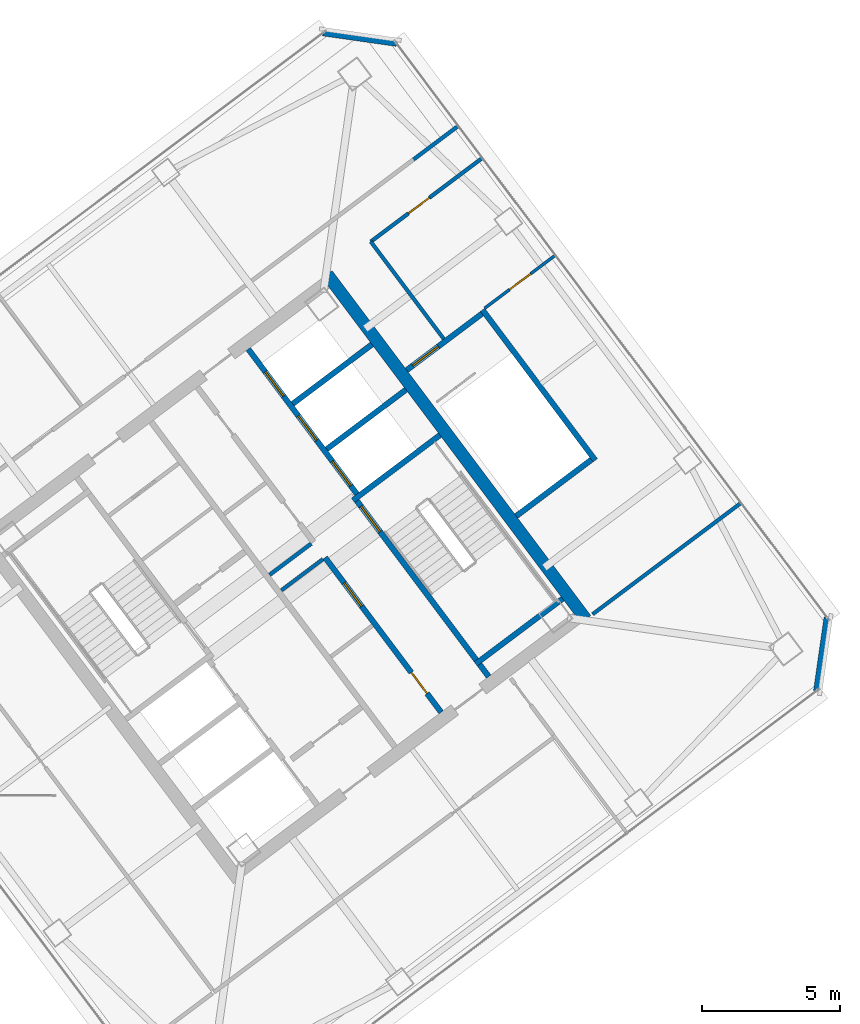
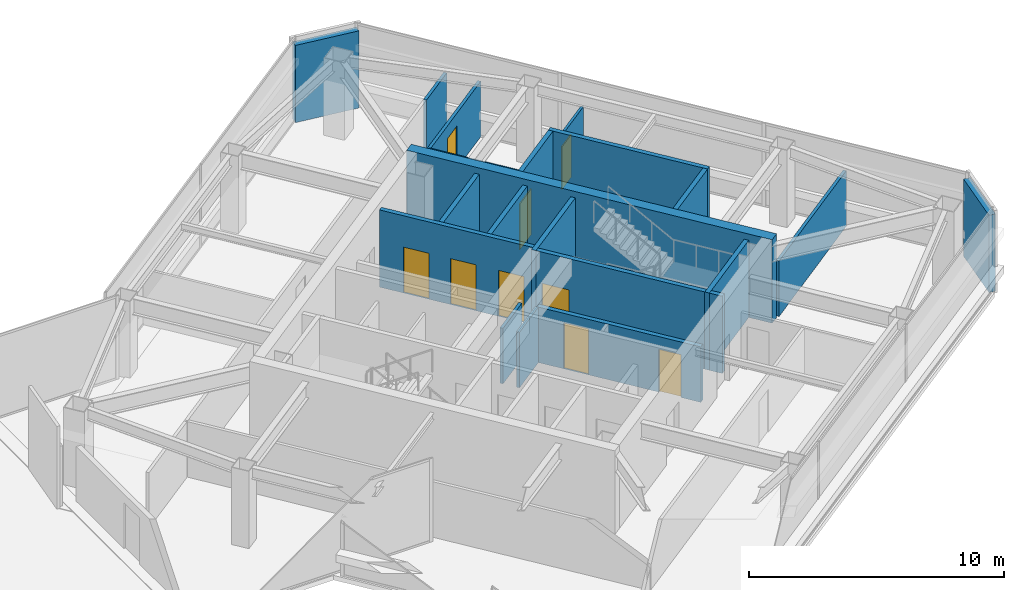
# One storey, part 44 of 51: 20 walls, 9 doors, 9 openings.
"""IFC4 building model written with IfcOpenShell, lengths in metres."""

from ifc_helpers import new_model, si_unit, direction, frame, frame_2d, origin, place, context, subcontext, project, spatial, rectangle, extrude, material, layer, layer_set, type_object, element, fill, save


model = new_model("IFC4")

# Units and contexts
model_context = context("Model", 3, precision=1e-05, world=origin(), true_north=direction((0.0, 1.0)))
body_context = subcontext(model_context, "Body", "Model", "MODEL_VIEW")
ifc_project = project(units=[si_unit("LENGTHUNIT", "METRE"), si_unit("AREAUNIT", "SQUARE_METRE"), si_unit("VOLUMEUNIT", "CUBIC_METRE"), si_unit("PLANEANGLEUNIT", "RADIAN"), si_unit("MASSUNIT", "GRAM", prefix="KILO")], contexts=[model_context])

# Site, building, storey
site_placement = place(None, origin())
site = spatial("IfcSite", under=ifc_project, at=site_placement, CompositionType="ELEMENT")
building_placement = place(site_placement, origin())
building = spatial("IfcBuilding", under=site, at=building_placement, Name="Tashvorn Skyway Center", CompositionType="ELEMENT")
storey_placement = place(building_placement, frame((0.0, 0.0, 259.39990234375)))
storey = spatial("IfcBuildingStorey", under=building, at=storey_placement, Name="L70", CompositionType="ELEMENT", Elevation=259.39990234375)

# Walls
ifc_material_1 = material(Name="Concrete C50/60", Category="concrete")
ifc_layer_1 = layer(ifc_material_1, 0.449951171875)
ifc_layer_set_1 = layer_set([ifc_layer_1], Name="Concrete C50/60")
wall_type_1 = type_object("IfcWallType", Name="WALL-CORE-450", PredefinedType="SHEAR", material=ifc_layer_set_1)
wall_1_placement = place(storey_placement, frame((115.60400390625, 42.952880859375, 0.0), z_axis=(0.0, 0.0, 1.0), x_axis=(0.600005007985, -0.799996243986, 0.0)))
element("IfcWall", 1, at=wall_1_placement, inside=storey, type_object=wall_type_1, Name="Tower 2 L70 East Core Shear Wall", PredefinedType="SHEAR", context=body_context, shape_type="SweptSolid", body=[
    extrude(rectangle(XDim=15.60009765625, YDim=0.449951171875, at=frame_2d((7.800048828125, 0.0))), origin(), (0.0, 0.0, 1.0), 4.0),
])
ifc_material_2 = material(Name="Precast concrete C40/50", Category="concrete")
ifc_layer_2 = layer(ifc_material_2, 0.280029296875)
ifc_layer_set_2 = layer_set([ifc_layer_2], Name="Precast concrete C40/50")
wall_type_2 = type_object("IfcWallType", Name="WALL-EXT-280", PredefinedType="SOLIDWALL", material=ifc_layer_set_2)
for number, where, z_axis, x_axis, name in (
    (2, (115.4599609375, 51.719970703125, 0.0), (0.0, 0.0, 1.0), (0.989956760759, -0.141370477216, 0.0), "Tower 2 L70 NE Precast Chamfer Wall"),
    (3, (133.719970703125, 30.5400390625, 0.0), (0.0, 0.0, 1.0), (-0.141370477216, -0.989956760759, 0.0), "Tower 2 L70 SE Precast Chamfer Wall"),
):
    element("IfcWall", number, at=place(storey_placement, frame(where, z_axis=z_axis, x_axis=x_axis)), inside=storey, type_object=wall_type_2, Name=name, PredefinedType="SOLIDWALL", context=body_context, shape_type="SweptSolid", body=[
        extrude(rectangle(XDim=2.687255859375, YDim=0.280029296875, at=frame_2d((1.34375, 0.0))), origin(), (0.0, 0.0, 1.0), 3.7001953125),
    ])

# Wall, opening, door
ifc_material_3 = material(Name="Gypsum board on cold-formed steel stud framing", Category="steel")
ifc_layer_3 = layer(ifc_material_3, 0.110107421875)
ifc_layer_set_3 = layer_set([ifc_layer_3], Name="Gypsum board on cold-formed steel stud framing")
wall_type_3 = type_object("IfcWallType", Name="WALL-PART-110", PredefinedType="PARTITIONING", material=ifc_layer_set_3)
wall_2_placement = place(storey_placement, frame((123.864013671875, 43.64794921875, 0.0), z_axis=(0.0, 0.0, 1.0), x_axis=(-0.800018310174, -0.599975585658, 0.0)))
wall_2 = element("IfcWall", 4, at=wall_2_placement, inside=storey, type_object=wall_type_3, Name="Tower 2 L70 East Suite Partition 1", PredefinedType="PARTITIONING", context=body_context, shape_type="SweptSolid", body=[
    extrude(rectangle(XDim=3.199951171875, YDim=0.110107421875, at=frame_2d((1.60009765625, 0.0))), origin(), (0.0, 0.0, 1.0), 2.6591796875),
])
opening_1_placement = place(wall_2_placement, frame((1.125, 0.0, 0.0)))
opening_1 = element("IfcOpeningElement", 5, at=opening_1_placement, cuts=wall_2, Name="Opening D-INT-950", PredefinedType="OPENING", context=body_context, shape_type="SweptSolid", body=[
    extrude(rectangle(XDim=0.949951171875, YDim=2.050048828125, at=frame_2d((0.47509765625, 1.02490234375))), frame((0.0, 0.06494140625, 0.0), z_axis=(0.0, -1.0, 0.0), x_axis=(1.0, 0.0, 0.0)), (0.0, 0.0, 1.0), 0.130126953125),
])
ifc_material_4 = material(Name="Solid-core architectural oak veneer door")
door_type_1 = type_object("IfcDoorType", Name="DOOR-INT-950", OperationType="NOTDEFINED", PredefinedType="DOOR", material=ifc_material_4)
door_1_placement = place(opening_1_placement, origin())
door_1 = element("IfcDoor", 6, at=door_1_placement, inside=storey, type_object=door_type_1, Name="Tower 2 L70 Catering Pantry Door", OperationType="SINGLE_SWING_LEFT", OverallHeight=2.050048828125, OverallWidth=0.949951171875, PredefinedType="DOOR", context=body_context, shape_type="SweptSolid", body=[
    extrude(rectangle(XDim=0.949951171875, YDim=2.050048828125, at=frame_2d((0.47509765625, 1.02490234375))), frame((0.0, 0.02490234375, 0.0), z_axis=(0.0, -1.0, 0.0), x_axis=(1.0, 0.0, 0.0)), (0.0, 0.0, 1.0), 0.050048828125),
])
fill(opening_1, door_1)

# Walls
ifc_layer_4 = layer(ifc_material_3, 0.135009765625)
ifc_layer_set_4 = layer_set([ifc_layer_4], Name="Gypsum board on cold-formed steel stud framing")
wall_type_4 = type_object("IfcWallType", Name="WALL-PART-135", PredefinedType="PARTITIONING", material=ifc_layer_set_4)
wall_3_placement = place(storey_placement, frame((119.823974609375, 40.617919921875, 0.0), z_axis=(0.0, 0.0, 1.0), x_axis=(-0.599982243973, 0.800013316712, 0.0)))
element("IfcWall", 7, at=wall_3_placement, inside=storey, type_object=wall_type_4, Name="Tower 2 L70 Stair 3 Access Corridor Wall", PredefinedType="PARTITIONING", context=body_context, shape_type="SweptSolid", body=[
    extrude(rectangle(XDim=4.39990234375, YDim=0.135009765625, at=frame_2d((2.199951171875, 0.0))), origin(), (0.0, 0.0, 1.0), 2.6591796875),
])
wall_4_placement = place(storey_placement, frame((118.72998046875, 47.110107421875, 0.0), z_axis=(0.0, 0.0, 1.0), x_axis=(0.800057727462, 0.599923022336, 0.0)))
element("IfcWall", 8, at=wall_4_placement, inside=storey, type_object=wall_type_4, Name="Tower 2 L70 North-East Suite South Wall", PredefinedType="PARTITIONING", context=body_context, shape_type="SweptSolid", body=[
    extrude(rectangle(XDim=2.02978515625, YDim=0.135009765625, at=frame_2d((1.014892578125, 0.0))), origin(), (0.0, 0.0, 1.0), 2.6591796875),
])

# Wall, opening, door
wall_5_placement = place(storey_placement, frame((121.22412109375, 47.16796875, 0.0), z_axis=(0.0, 0.0, 1.0), x_axis=(-0.8, -0.6, 0.0)))
wall_5 = element("IfcWall", 9, at=wall_5_placement, inside=storey, type_object=wall_type_4, Name="Tower 2 L70 East Suite North Wall", PredefinedType="PARTITIONING", context=body_context, shape_type="SweptSolid", body=[
    extrude(rectangle(XDim=5.050048828125, YDim=0.135009765625, at=frame_2d((2.52490234375, 0.0))), origin(), (0.0, 0.0, 1.0), 2.6591796875),
])
opening_2_placement = place(wall_5_placement, frame((2.39990234375, 0.0, 0.0)))
opening_2 = element("IfcOpeningElement", 10, at=opening_2_placement, cuts=wall_5, Name="Opening D-INT-950", PredefinedType="OPENING", context=body_context, shape_type="SweptSolid", body=[
    extrude(rectangle(XDim=0.949951171875, YDim=2.050048828125, at=frame_2d((0.47509765625, 1.02490234375))), frame((0.0, 0.077392578125, 0.0), z_axis=(0.0, -1.0, 0.0), x_axis=(1.0, 0.0, 0.0)), (0.0, 0.0, 1.0), 0.155029296875),
])
door_2_placement = place(opening_2_placement, origin())
door_2 = element("IfcDoor", 11, at=door_2_placement, inside=storey, type_object=door_type_1, Name="Tower 2 L70 Gallery Showroom Door", OperationType="SINGLE_SWING_RIGHT", OverallHeight=2.050048828125, OverallWidth=0.949951171875, PredefinedType="DOOR", context=body_context, shape_type="SweptSolid", body=[
    extrude(rectangle(XDim=0.949951171875, YDim=2.050048828125, at=frame_2d((0.47509765625, 1.02490234375))), frame((0.0, 0.02490234375, 0.0), z_axis=(0.0, -1.0, 0.0), x_axis=(1.0, 0.0, 0.0)), (0.0, 0.0, 1.0), 0.050048828125),
])
fill(opening_2, door_2)

# Walls
wall_6_placement = place(storey_placement, frame((125.2080078125, 30.656005859375, 0.0), z_axis=(0.0, 0.0, 1.0), x_axis=(0.8, 0.6, 0.0)))
element("IfcWall", 12, at=wall_6_placement, inside=storey, type_object=wall_type_4, Name="Tower 2 L70 East Suite South Wall", PredefinedType="PARTITIONING", context=body_context, shape_type="SweptSolid", body=[
    extrude(rectangle(XDim=6.719970703125, YDim=0.135009765625, at=frame_2d((3.35986328125, 0.0))), origin(), (0.0, 0.0, 1.0), 2.6591796875),
])
ifc_layer_5 = layer(ifc_material_3, 0.135009765625)
ifc_layer_set_5 = layer_set([ifc_layer_5], Name="Gypsum board on cold-formed steel stud framing")
wall_type_5 = type_object("IfcWallType", Name="WALL-RATED-135", PredefinedType="PARTITIONING", material=ifc_layer_set_5)
wall_7_placement = place(storey_placement, frame((113.946044921875, 31.52197265625, 0.0), z_axis=(0.0, 0.0, 1.0), x_axis=(0.8, 0.6, 0.0)))
element("IfcWall", 13, at=wall_7_placement, inside=storey, type_object=wall_type_5, Name="Tower 2 L70 Core Room Partition", PredefinedType="PARTITIONING", context=body_context, shape_type="SweptSolid", body=[
    extrude(rectangle(XDim=1.8798828125, YDim=0.135009765625, at=frame_2d((0.93994140625, 0.0))), origin(), (0.0, 0.0, 1.0), 2.6591796875),
])
wall_8_placement = place(storey_placement, frame((113.52587890625, 32.08203125, 0.0), z_axis=(0.0, 0.0, 1.0), x_axis=(0.800046745961, 0.599937666993, 0.0)))
element("IfcWall", 14, at=wall_8_placement, inside=storey, type_object=wall_type_5, Name="Tower 2 L70 Core Room Partition", PredefinedType="PARTITIONING", context=body_context, shape_type="SweptSolid", body=[
    extrude(rectangle(XDim=1.880126953125, YDim=0.135009765625, at=frame_2d((0.93994140625, 0.0))), origin(), (0.0, 0.0, 1.0), 2.6591796875),
])
ifc_material_5 = material(Name="Concrete C40/50", Category="concrete")
ifc_layer_6 = layer(ifc_material_5, 0.199951171875)
ifc_layer_set_6 = layer_set([ifc_layer_6], Name="Concrete C40/50")
wall_type_6 = type_object("IfcWallType", Name="WALL-SHAFT-200", PredefinedType="SOLIDWALL", material=ifc_layer_set_6)
for number, where, z_axis, x_axis, name in (
    (15, (115.590087890625, 36.6298828125, 0.0), (0.0, 0.0, 1.0), (0.799975449747, 0.600032732276, 0.0), "Tower 2 L70 High-Rise Shaft Divider"),
    (16, (114.360107421875, 38.27001953125, 0.0), (0.0, 0.0, 1.0), (0.800008183455, 0.599989088572, 0.0), "Tower 2 L70 High-Rise Shaft Divider"),
):
    element("IfcWall", number, at=place(storey_placement, frame(where, z_axis=z_axis, x_axis=x_axis)), inside=storey, type_object=wall_type_6, Name=name, PredefinedType="SOLIDWALL", context=body_context, shape_type="SweptSolid", body=[
        extrude(rectangle(XDim=3.580078125, YDim=0.199951171875, at=frame_2d((1.7900390625, 0.0))), origin(), (0.0, 0.0, 1.0), 3.7001953125),
    ])

# Wall, openings, doors
wall_9_placement = place(storey_placement, frame((119.72998046875, 27.110107421875, 0.0), z_axis=(0.0, 0.0, 1.0), x_axis=(-0.600005580459, 0.799995814625, 0.0)))
wall_9 = element("IfcWall", 17, at=wall_9_placement, inside=storey, type_object=wall_type_6, Name="Tower 2 L70 Low-Rise Core Wall", PredefinedType="SOLIDWALL", context=body_context, shape_type="SweptSolid", body=[
    extrude(rectangle(XDim=6.999755859375, YDim=0.199951171875, at=frame_2d((3.5, 0.0))), origin(), (0.0, 0.0, 1.0), 2.6591796875),
])
opening_3_placement = place(wall_9_placement, frame((0.85009765625, 0.0, 0.0)))
opening_3 = element("IfcOpeningElement", 18, at=opening_3_placement, cuts=wall_9, Name="Opening D-RT-950", PredefinedType="OPENING", context=body_context, shape_type="SweptSolid", body=[
    extrude(rectangle(XDim=0.949951171875, YDim=2.050048828125, at=frame_2d((0.47509765625, 1.02490234375))), frame((0.0, 0.10986328125, 0.0), z_axis=(0.0, -1.0, 0.0), x_axis=(1.0, 0.0, 0.0)), (0.0, 0.0, 1.0), 0.219970703125),
])
opening_4_placement = place(wall_9_placement, frame((4.800048828125, 0.0, 0.0)))
opening_4 = element("IfcOpeningElement", 19, at=opening_4_placement, cuts=wall_9, Name="Opening D-RT-1050", PredefinedType="OPENING", context=body_context, shape_type="SweptSolid", body=[
    extrude(rectangle(XDim=1.050048828125, YDim=2.199951171875, at=frame_2d((0.52490234375, 1.10009765625))), frame((0.0, 0.10986328125, 0.0), z_axis=(0.0, -1.0, 0.0), x_axis=(1.0, 0.0, 0.0)), (0.0, 0.0, 1.0), 0.219970703125),
])
ifc_material_6 = material(Name="Hollow galvanized steel fire door assembly", Category="steel")
door_type_2 = type_object("IfcDoorType", Name="DOOR-RATED-1050", OperationType="NOTDEFINED", PredefinedType="DOOR", material=ifc_material_6)
door_3_placement = place(opening_4_placement, origin())
door_3 = element("IfcDoor", 20, at=door_3_placement, inside=storey, type_object=door_type_2, Name="Tower 2 L70 Freed Core Room Door", OperationType="SINGLE_SWING_RIGHT", OverallHeight=2.199951171875, OverallWidth=1.050048828125, PredefinedType="DOOR", context=body_context, shape_type="SweptSolid", body=[
    extrude(rectangle(XDim=1.050048828125, YDim=2.199951171875, at=frame_2d((0.52490234375, 1.10009765625))), frame((0.0, 0.02490234375, 0.0), z_axis=(0.0, -1.0, 0.0), x_axis=(1.0, 0.0, 0.0)), (0.0, 0.0, 1.0), 0.050048828125),
])
fill(opening_4, door_3)
door_type_3 = type_object("IfcDoorType", Name="DOOR-RATED-950", OperationType="NOTDEFINED", PredefinedType="DOOR", material=ifc_material_6)
door_4_placement = place(opening_3_placement, origin())
door_4 = element("IfcDoor", 21, at=door_4_placement, inside=storey, type_object=door_type_3, Name="Tower 2 L70 Core Print Room Door", OperationType="SINGLE_SWING_LEFT", OverallHeight=2.050048828125, OverallWidth=0.949951171875, PredefinedType="DOOR", context=body_context, shape_type="SweptSolid", body=[
    extrude(rectangle(XDim=0.949951171875, YDim=2.050048828125, at=frame_2d((0.47509765625, 1.02490234375))), frame((0.0, 0.02490234375, 0.0), z_axis=(0.0, -1.0, 0.0), x_axis=(1.0, 0.0, 0.0)), (0.0, 0.0, 1.0), 0.050048828125),
])
fill(opening_3, door_4)

# Wall, opening, door
ifc_layer_7 = layer(ifc_material_5, 0.199951171875)
ifc_layer_set_7 = layer_set([ifc_layer_7], Name="Concrete C40/50")
wall_type_7 = type_object("IfcWallType", Name="WALL-STSHF-200", PredefinedType="SHEAR", material=ifc_layer_set_7)
wall_10_placement = place(storey_placement, frame((116.56005859375, 34.919921875, 0.0), z_axis=(0.0, 0.0, 1.0), x_axis=(0.59999041401, -0.800007189403, 0.0)))
wall_10 = element("IfcWall", 22, at=wall_10_placement, inside=storey, type_object=wall_type_7, Name="Tower 2 L70 Stair 2 Enclosure Wall", PredefinedType="SHEAR", context=body_context, shape_type="SweptSolid", body=[
    extrude(rectangle(XDim=8.14990234375, YDim=0.199951171875, at=frame_2d((4.074951171875, 0.0))), origin(), (0.0, 0.0, 1.0), 3.7001953125),
])
opening_5_placement = place(wall_10_placement, frame((0.449951171875, 0.0, 0.0)))
opening_5 = element("IfcOpeningElement", 23, at=opening_5_placement, cuts=wall_10, Name="Opening D-ST-1150", PredefinedType="OPENING", context=body_context, shape_type="SweptSolid", body=[
    extrude(rectangle(XDim=1.14990234375, YDim=2.199951171875, at=frame_2d((0.574951171875, 1.10009765625))), frame((0.0, 0.10986328125, 0.0), z_axis=(0.0, -1.0, 0.0), x_axis=(1.0, 0.0, 0.0)), (0.0, 0.0, 1.0), 0.219970703125),
])
door_type_4 = type_object("IfcDoorType", Name="DOOR-STAIR-1150", OperationType="NOTDEFINED", PredefinedType="DOOR", material=ifc_material_6)
door_5_placement = place(opening_5_placement, origin())
door_5 = element("IfcDoor", 24, at=door_5_placement, inside=storey, type_object=door_type_4, Name="Tower 2 L70 Exit Stair 2 Door", OperationType="SINGLE_SWING_RIGHT", OverallHeight=2.199951171875, OverallWidth=1.14990234375, PredefinedType="DOOR", context=body_context, shape_type="SweptSolid", body=[
    extrude(rectangle(XDim=1.14990234375, YDim=2.199951171875, at=frame_2d((0.574951171875, 1.10009765625))), frame((0.0, 0.02490234375, 0.0), z_axis=(0.0, -1.0, 0.0), x_axis=(1.0, 0.0, 0.0)), (0.0, 0.0, 1.0), 0.050048828125),
])
fill(opening_5, door_5)

# Walls
for number, where, z_axis, x_axis, name in (
    (25, (116.5400390625, 34.780029296875, 0.0), (0.0, 0.0, 1.0), (0.800014909178, 0.599980120581, 0.0), "Tower 2 L70 Stair 2 North Wall"),
    (26, (120.97998046875, 28.860107421875, 0.0), (0.0, 0.0, 1.0), (0.800014909178, 0.599980120581, 0.0), "Tower 2 L70 Stair 2 South Wall"),
):
    element("IfcWall", number, at=place(storey_placement, frame(where, z_axis=z_axis, x_axis=x_axis)), inside=storey, type_object=wall_type_7, Name=name, PredefinedType="SHEAR", context=body_context, shape_type="SweptSolid", body=[
        extrude(rectangle(XDim=3.929931640625, YDim=0.199951171875, at=frame_2d((1.96484375, 0.0))), origin(), (0.0, 0.0, 1.0), 3.7001953125),
    ])

# Wall, openings, doors
wall_11_placement = place(storey_placement, frame((112.75, 40.25, 0.0), z_axis=(0.0, 0.0, 1.0), x_axis=(0.599994036198, -0.800004472816, 0.0)))
wall_11 = element("IfcWall", 27, at=wall_11_placement, inside=storey, type_object=wall_type_7, Name="Tower 2 L70 High-Rise Lift Shaft Front Wall", PredefinedType="SHEAR", context=body_context, shape_type="SweptSolid", body=[
    extrude(rectangle(XDim=6.550048828125, YDim=0.199951171875, at=frame_2d((3.27490234375, 0.0))), origin(), (0.0, 0.0, 1.0), 3.7001953125),
])
opening_6_placement = place(wall_11_placement, frame((5.074951171875, 0.0, 0.0)))
opening_6 = element("IfcOpeningElement", 28, at=opening_6_placement, cuts=wall_11, Name="Opening LD-HR-T2-1-L70", PredefinedType="OPENING", context=body_context, shape_type="SweptSolid", body=[
    extrude(rectangle(XDim=1.10009765625, YDim=2.199951171875, at=frame_2d((0.550048828125, 1.10009765625))), frame((0.0, 0.10986328125, 0.0), z_axis=(0.0, -1.0, 0.0), x_axis=(1.0, 0.0, 0.0)), (0.0, 0.0, 1.0), 0.219970703125),
])
opening_7_placement = place(wall_11_placement, frame((3.02490234375, 0.0, 0.0)))
opening_7 = element("IfcOpeningElement", 29, at=opening_7_placement, cuts=wall_11, Name="Opening LD-HR-T2-2-L70", PredefinedType="OPENING", context=body_context, shape_type="SweptSolid", body=[
    extrude(rectangle(XDim=1.10009765625, YDim=2.199951171875, at=frame_2d((0.550048828125, 1.10009765625))), frame((0.0, 0.10986328125, 0.0), z_axis=(0.0, -1.0, 0.0), x_axis=(1.0, 0.0, 0.0)), (0.0, 0.0, 1.0), 0.219970703125),
])
opening_8_placement = place(wall_11_placement, frame((1.02490234375, 0.0, 0.0)))
opening_8 = element("IfcOpeningElement", 30, at=opening_8_placement, cuts=wall_11, Name="Opening LD-HR-T2-3-L70", PredefinedType="OPENING", context=body_context, shape_type="SweptSolid", body=[
    extrude(rectangle(XDim=1.10009765625, YDim=2.199951171875, at=frame_2d((0.550048828125, 1.10009765625))), frame((0.0, 0.10986328125, 0.0), z_axis=(0.0, -1.0, 0.0), x_axis=(1.0, 0.0, 0.0)), (0.0, 0.0, 1.0), 0.219970703125),
])
ifc_material_7 = material(Name="Stainless steel landing door", Category="steel")
door_type_5 = type_object("IfcDoorType", Name="DOOR-LIFT-1100", OperationType="SLIDING_TO_LEFT", PredefinedType="DOOR", material=ifc_material_7)
door_6_placement = place(opening_6_placement, origin())
door_6 = element("IfcDoor", 31, at=door_6_placement, inside=storey, type_object=door_type_5, Name="Lift HR-T2-1 L70 Landing Door", OperationType="SLIDING_TO_LEFT", OverallHeight=2.199951171875, OverallWidth=1.10009765625, PredefinedType="DOOR", context=body_context, shape_type="SweptSolid", body=[
    extrude(rectangle(XDim=1.10009765625, YDim=2.199951171875, at=frame_2d((0.550048828125, 1.10009765625))), frame((0.0, 0.02490234375, 0.0), z_axis=(0.0, -1.0, 0.0), x_axis=(1.0, 0.0, 0.0)), (0.0, 0.0, 1.0), 0.050048828125),
])
fill(opening_6, door_6)
door_7_placement = place(opening_7_placement, origin())
door_7 = element("IfcDoor", 32, at=door_7_placement, inside=storey, type_object=door_type_5, Name="Lift HR-T2-2 L70 Landing Door", OperationType="SLIDING_TO_LEFT", OverallHeight=2.199951171875, OverallWidth=1.10009765625, PredefinedType="DOOR", context=body_context, shape_type="SweptSolid", body=[
    extrude(rectangle(XDim=1.10009765625, YDim=2.199951171875, at=frame_2d((0.550048828125, 1.10009765625))), frame((0.0, 0.02490234375, 0.0), z_axis=(0.0, -1.0, 0.0), x_axis=(1.0, 0.0, 0.0)), (0.0, 0.0, 1.0), 0.050048828125),
])
fill(opening_7, door_7)
door_8_placement = place(opening_8_placement, origin())
door_8 = element("IfcDoor", 33, at=door_8_placement, inside=storey, type_object=door_type_5, Name="Lift HR-T2-3 L70 Landing Door", OperationType="SLIDING_TO_LEFT", OverallHeight=2.199951171875, OverallWidth=1.10009765625, PredefinedType="DOOR", context=body_context, shape_type="SweptSolid", body=[
    extrude(rectangle(XDim=1.10009765625, YDim=2.199951171875, at=frame_2d((0.550048828125, 1.10009765625))), frame((0.0, 0.02490234375, 0.0), z_axis=(0.0, -1.0, 0.0), x_axis=(1.0, 0.0, 0.0)), (0.0, 0.0, 1.0), 0.050048828125),
])
fill(opening_8, door_8)

# Wall
wall_12_placement = place(storey_placement, frame((125.303955078125, 36.22802734375, 0.0), z_axis=(0.0, 0.0, 1.0), x_axis=(-0.59998851072, 0.800008616831, 0.0)))
element("IfcWall", 34, at=wall_12_placement, inside=storey, type_object=wall_type_7, Name="Tower 2 L70 Stair 3 Outer Wall", PredefinedType="SHEAR", context=body_context, shape_type="SweptSolid", body=[
    extrude(rectangle(XDim=6.7998046875, YDim=0.199951171875, at=frame_2d((3.39990234375, 0.0))), origin(), (0.0, 0.0, 1.0), 3.7001953125),
])

# Wall, opening, door
wall_13_placement = place(storey_placement, frame((121.2041015625, 41.528076171875, 0.0), z_axis=(0.0, 0.0, 1.0), x_axis=(-0.800017232136, -0.599977023131, 0.0)))
wall_13 = element("IfcWall", 35, at=wall_13_placement, inside=storey, type_object=wall_type_7, Name="Tower 2 L70 Stair 3 Enclosure Wall", PredefinedType="SHEAR", context=body_context, shape_type="SweptSolid", body=[
    extrude(rectangle(XDim=3.400146484375, YDim=0.199951171875, at=frame_2d((1.7001953125, 0.0))), origin(), (0.0, 0.0, 1.0), 3.7001953125),
])
opening_9_placement = place(wall_13_placement, frame((1.97509765625, 0.0, 0.0)))
opening_9 = element("IfcOpeningElement", 36, at=opening_9_placement, cuts=wall_13, Name="Opening D-ST-1150", PredefinedType="OPENING", context=body_context, shape_type="SweptSolid", body=[
    extrude(rectangle(XDim=1.14990234375, YDim=2.199951171875, at=frame_2d((0.574951171875, 1.10009765625))), frame((0.0, 0.10986328125, 0.0), z_axis=(0.0, -1.0, 0.0), x_axis=(1.0, 0.0, 0.0)), (0.0, 0.0, 1.0), 0.219970703125),
])
door_9_placement = place(opening_9_placement, origin())
door_9 = element("IfcDoor", 37, at=door_9_placement, inside=storey, type_object=door_type_4, Name="Tower 2 L70 Exit Stair 3 Door", OperationType="SINGLE_SWING_RIGHT", OverallHeight=2.199951171875, OverallWidth=1.14990234375, PredefinedType="DOOR", context=body_context, shape_type="SweptSolid", body=[
    extrude(rectangle(XDim=1.14990234375, YDim=2.199951171875, at=frame_2d((0.574951171875, 1.10009765625))), frame((0.0, 0.02490234375, 0.0), z_axis=(0.0, -1.0, 0.0), x_axis=(1.0, 0.0, 0.0)), (0.0, 0.0, 1.0), 0.050048828125),
])
fill(opening_9, door_9)

# Wall
wall_14_placement = place(storey_placement, frame((122.444091796875, 34.2080078125, 0.0), z_axis=(0.0, 0.0, 1.0), x_axis=(0.79999138319, 0.600011488909, 0.0)))
element("IfcWall", 38, at=wall_14_placement, inside=storey, type_object=wall_type_7, Name="Tower 2 L70 Stair 3 South Wall", PredefinedType="SHEAR", context=body_context, shape_type="SweptSolid", body=[
    extrude(rectangle(XDim=3.39990234375, YDim=0.199951171875, at=frame_2d((1.699951171875, 0.0))), origin(), (0.0, 0.0, 1.0), 3.7001953125),
])

save(model, "model.ifc")
